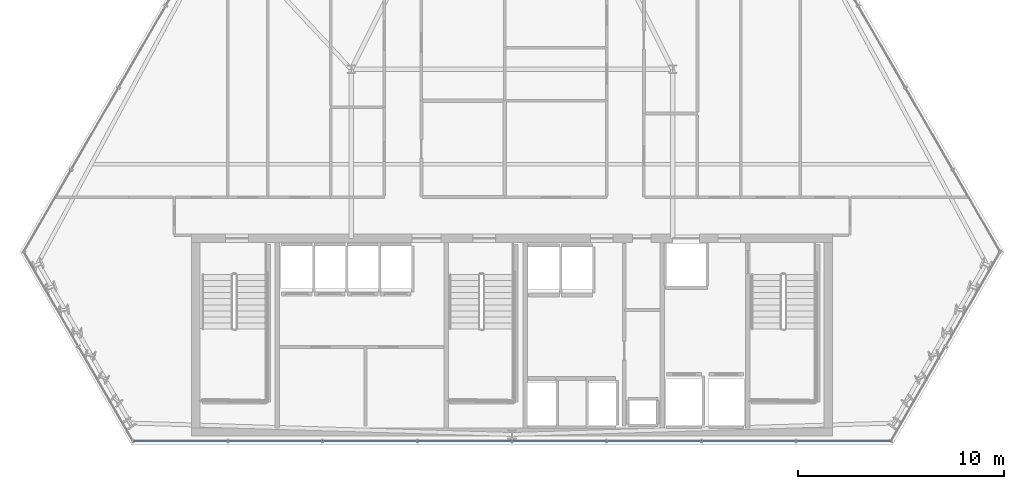
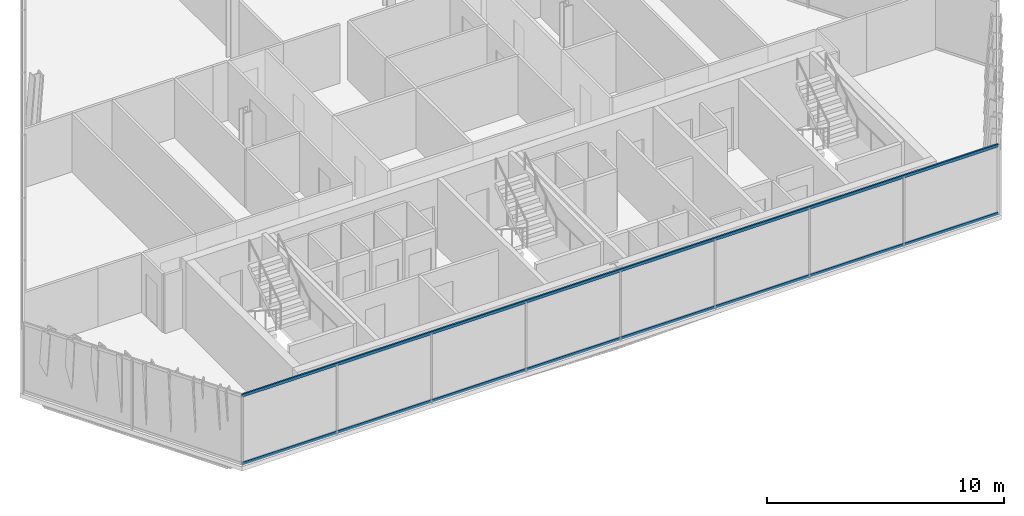
# One storey, part 8 of 33: 2 members, 1 element without a shape of its own.
"""IFC4 building model written with IfcOpenShell, lengths in metres."""

from ifc_helpers import new_model, si_unit, direction, frame, origin, origin_2d, place, context, subcontext, project, spatial, hollow_rectangle, extrude, material, layer, layer_set, material_profile, profile_set, type_object, element, aggregate, save


model = new_model("IFC4")

# Units and contexts
model_context = context("Model", 3, precision=1e-05, world=origin(), true_north=direction((0.0, 1.0)))
body_context = subcontext(model_context, "Body", "Model", "MODEL_VIEW")
ifc_project = project(units=[si_unit("LENGTHUNIT", "METRE"), si_unit("AREAUNIT", "SQUARE_METRE"), si_unit("VOLUMEUNIT", "CUBIC_METRE"), si_unit("PLANEANGLEUNIT", "RADIAN"), si_unit("MASSUNIT", "GRAM", prefix="KILO")], contexts=[model_context])

# Site, building, storey
site_placement = place(None, origin())
site = spatial("IfcSite", under=ifc_project, at=site_placement, CompositionType="ELEMENT")
building_placement = place(site_placement, origin())
building = spatial("IfcBuilding", under=site, at=building_placement, Name="Ndaravel Arena Tower", CompositionType="ELEMENT")
storey_placement = place(building_placement, frame((0.0, 0.0, 168.800048828125)))
storey = spatial("IfcBuildingStorey", under=building, at=storey_placement, Name="L40", CompositionType="ELEMENT", Elevation=168.800048828125)

# Curtain wall, members
ifc_material_1 = material(Name="Aluminium", Category="aluminium")
ifc_layer = layer(ifc_material_1, 0.179931640625)
ifc_layer_set = layer_set([ifc_layer], Name="Aluminium")
curtain_wall_type = type_object("IfcCurtainWallType", Name="CW-SYS-03", PredefinedType="NOTDEFINED", material=ifc_layer_set)
curtain_wall_placement = place(storey_placement, origin())
curtain_wall = element("IfcCurtainWall", 1, at=curtain_wall_placement, inside=storey, type_object=curtain_wall_type, Name="L40 Faceted Crystal Curtain Wall CW-L40-E01", PredefinedType="NOTDEFINED")
ifc_material_2 = material(Name="Aluminium", Category="aluminium")
ifc_material_profile = material_profile(ifc_material_2, hollow_rectangle(XDim=0.074951171875, YDim=0.14990234375, WallThickness=0.00390625, at=origin_2d()), Name="CW TRANSOM 75x150x4")
ifc_profile_set = profile_set([ifc_material_profile], Name="Aluminium")
member_type = type_object("IfcMemberType", Name="MEM-CW-TRN150", PredefinedType="USERDEFINED", material=ifc_profile_set)
member_1_placement = place(storey_placement, frame((23.609619140625, 5.159912109375, 0.0400390625), z_axis=(1.0, 0.0, 0.0), x_axis=(0.0, 1.0, 0.0)))
member_1 = element("IfcMember", 2, at=member_1_placement, type_object=member_type, Name="CW-L40-E01 Transom 01", ObjectType="TRANSOM", PredefinedType="USERDEFINED", context=body_context, shape_type="SweptSolid", body=[
    extrude(hollow_rectangle(XDim=0.074951171875, YDim=0.14990234375, WallThickness=0.00390625, at=origin_2d()), origin(), (0.0, 0.0, 1.0), 36.78076171875),
])
member_2_placement = place(storey_placement, frame((23.609619140625, 5.159912109375, 3.5400390625), z_axis=(1.0, 0.0, 0.0), x_axis=(0.0, 1.0, 0.0)))
member_2 = element("IfcMember", 3, at=member_2_placement, type_object=member_type, Name="CW-L40-E01 Transom 02", ObjectType="TRANSOM", PredefinedType="USERDEFINED", context=body_context, shape_type="SweptSolid", body=[
    extrude(hollow_rectangle(XDim=0.074951171875, YDim=0.14990234375, WallThickness=0.00390625, at=origin_2d()), origin(), (0.0, 0.0, 1.0), 36.78076171875),
])
aggregate(curtain_wall, [member_1, member_2])

save(model, "model.ifc")
